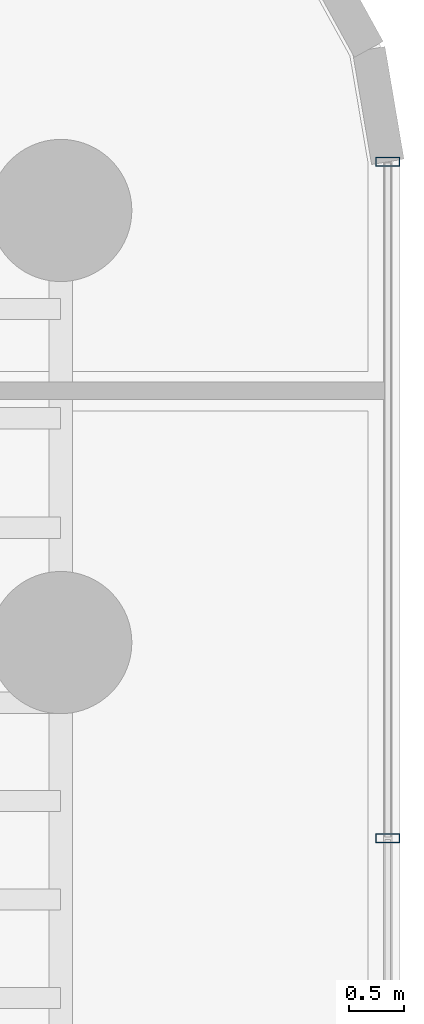
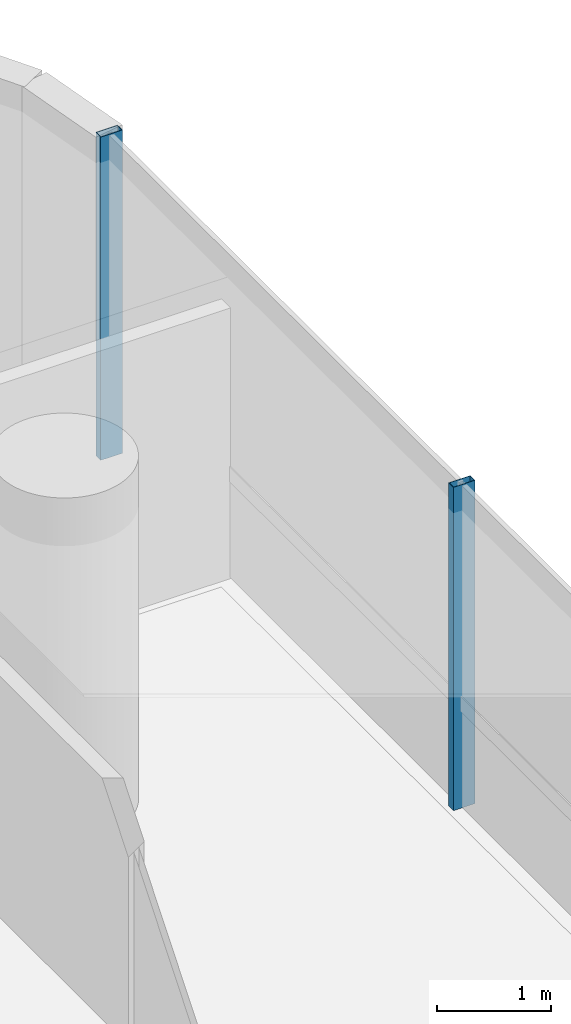
# One storey, part 28 of 40: 2 members, 1 element without a shape of its own.
"""IFC4 building model written with IfcOpenShell, lengths in metres."""

import ifcopenshell
import ifcopenshell.guid

model = None  # the IFC model being written
_history = None  # IfcOwnerHistory: only IFC2X3 demands one
_inside = {}  # id of a spatial element -> (the spatial element, [elements in it])
_under = {}  # id of a project, library or spatial element -> (it, [spatial elements below it])
_declared = {}  # id of a project -> (the project, [libraries it declares])
_typed = {}  # id of a type object -> (the type object, [elements of that type])
_made_of = {}  # id of a material, layer set ... -> (it, [elements and type objects made of it])


def new_model(schema):
    """Start an empty IFC model of exactly this schema.

    Asked for "IFC4X3", IfcOpenShell would pick the latest addendum, in which some entities
    have other attributes; the version numbers below select the first issue.
    IFC2X3 requires an IfcOwnerHistory on every rooted entity: one is made here for all.
    """
    global model, _history
    if schema == "IFC4X3":
        model = ifcopenshell.file(schema_version=(4, 3, 0, 0))
    else:
        model = ifcopenshell.file(schema=schema)
    _inside.clear()
    _under.clear()
    _declared.clear()
    _typed.clear()
    _made_of.clear()
    _history = None
    if model.schema == "IFC2X3":
        org = make("IfcOrganization", Name="unknown")
        user = make(
            "IfcPersonAndOrganization",
            ThePerson=make("IfcPerson", FamilyName="unknown"),
            TheOrganization=org,
        )
        app = make(
            "IfcApplication",
            ApplicationDeveloper=org,
            Version="unknown",
            ApplicationFullName="unknown",
            ApplicationIdentifier="unknown",
        )
        _history = make(
            "IfcOwnerHistory",
            OwningUser=user,
            OwningApplication=app,
            ChangeAction="ADDED",
            CreationDate=0,
        )
    return model


def make(cls, **values):
    """One entity of the class cls with the attributes given. An attribute that is None is left unset."""
    return model.create_entity(
        cls, **{name: value for name, value in values.items() if value is not None}
    )


def rooted(cls, **values):
    """An entity with a GlobalId (a new one), such as an element, a storey or a relation."""
    return make(cls, GlobalId=ifcopenshell.guid.new(), OwnerHistory=_history, **values)


def si_unit(unit_type, name, prefix=None):
    """IfcSIUnit, for example si_unit("LENGTHUNIT", "METRE", prefix="MILLI")."""
    return make("IfcSIUnit", UnitType=unit_type, Prefix=prefix, Name=name)


def assignment(units):
    """IfcUnitAssignment: the units of a project."""
    return None if units is None else make("IfcUnitAssignment", Units=units)


def point(xyz):
    """IfcCartesianPoint."""
    return None if xyz is None else make("IfcCartesianPoint", Coordinates=xyz)


def direction(xyz):
    """IfcDirection."""
    return None if xyz is None else make("IfcDirection", DirectionRatios=xyz)


def frame(location, z_axis=None, x_axis=None):
    """IfcAxis2Placement3D, a coordinate frame: its origin and axes. An axis left out is left unset."""
    return make(
        "IfcAxis2Placement3D",
        Location=point(location),
        Axis=direction(z_axis),
        RefDirection=direction(x_axis),
    )


def frame_2d(location, x_axis=None):
    """IfcAxis2Placement2D, a coordinate frame in the plane: its origin and x axis."""
    return make(
        "IfcAxis2Placement2D", Location=point(location), RefDirection=direction(x_axis)
    )


def origin():
    """The frame at (0, 0, 0) with its axes left unset."""
    return frame((0.0, 0.0, 0.0))


def origin_2d():
    """The frame at (0, 0) in the plane with its x axis left unset."""
    return frame_2d((0.0, 0.0))


def place(relative_to, where):
    """IfcLocalPlacement: puts the frame where relative to a parent placement (None: the world)."""
    return make(
        "IfcLocalPlacement", PlacementRelTo=relative_to, RelativePlacement=where
    )


def context(
    kind, dimensions, precision=None, world=None, true_north=None, identifier=None
):
    """IfcGeometricRepresentationContext, for example the 3D "Model" context."""
    return make(
        "IfcGeometricRepresentationContext",
        ContextIdentifier=identifier,
        ContextType=kind,
        CoordinateSpaceDimension=dimensions,
        Precision=precision,
        WorldCoordinateSystem=world,
        TrueNorth=true_north,
    )


def subcontext(parent, identifier, kind, view, scale=None):
    """IfcGeometricRepresentationSubContext, for example "Body" below "Model"."""
    return make(
        "IfcGeometricRepresentationSubContext",
        ContextIdentifier=identifier,
        ContextType=kind,
        ParentContext=parent,
        TargetScale=scale,
        TargetView=view,
    )


def project(units=None, contexts=None):
    """IfcProject with its units and contexts."""
    return rooted(
        "IfcProject",
        Name="project",
        RepresentationContexts=contexts,
        UnitsInContext=assignment(units),
    )


def spatial(cls, under=None, at=None, **own):
    """A site, building, storey or space (cls), placed at a placement, below another one or the project."""
    s = rooted(cls, ObjectPlacement=at, **own)
    if under is not None:
        _under.setdefault(under.id(), (under, []))[1].append(s)
    return s


def profile(cls, at=None, kind="AREA", **sizes):
    """A parametric profile (cls). Its sizes go by their IFC names, for example OverallWidth=200.0."""
    return make(cls, ProfileType=kind, Position=at, **sizes)


def hollow_rectangle(**sizes):
    """IfcRectangleHollowProfileDef."""
    return profile("IfcRectangleHollowProfileDef", **sizes)


def extrude(swept, where, along, depth):
    """IfcExtrudedAreaSolid: the profile swept, set in the frame where, extruded along a direction by depth."""
    return make(
        "IfcExtrudedAreaSolid",
        SweptArea=swept,
        Position=where,
        ExtrudedDirection=direction(along),
        Depth=depth,
    )


def shape(context_of_items, identifier, shape_type, items):
    """IfcShapeRepresentation: the items that make up one representation, for example the "Body"."""
    return make(
        "IfcShapeRepresentation",
        ContextOfItems=context_of_items,
        RepresentationIdentifier=identifier,
        RepresentationType=shape_type,
        Items=items,
    )


def source(mapping_origin, context_of_items, identifier, shape_type, items):
    """IfcRepresentationMap: a shape defined once, which mapped items show again and again."""
    return make(
        "IfcRepresentationMap",
        MappingOrigin=mapping_origin,
        MappedRepresentation=shape(context_of_items, identifier, shape_type, items),
    )


def transform(
    local_origin,
    x_axis=None,
    y_axis=None,
    z_axis=None,
    scale=None,
    scale2=None,
    scale3=None,
    uniform=True,
):
    """IfcCartesianTransformationOperator3D, or its non-uniform kind. x_axis, y_axis, z_axis: its Axis1, 2, 3."""
    if uniform:
        return make(
            "IfcCartesianTransformationOperator3D",
            Axis1=direction(x_axis),
            Axis2=direction(y_axis),
            LocalOrigin=point(local_origin),
            Scale=scale,
            Axis3=direction(z_axis),
        )
    return make(
        "IfcCartesianTransformationOperator3DnonUniform",
        Axis1=direction(x_axis),
        Axis2=direction(y_axis),
        LocalOrigin=point(local_origin),
        Scale=scale,
        Axis3=direction(z_axis),
        Scale2=scale2,
        Scale3=scale3,
    )


def mapped(mapping_source, mapping_target):
    """IfcMappedItem: shows the shape of a source again, moved by a transform."""
    return make(
        "IfcMappedItem", MappingSource=mapping_source, MappingTarget=mapping_target
    )


def material(Name=None, Category=None):
    """IfcMaterial."""
    return make("IfcMaterial", Name=Name, Category=Category)


def material_profile(
    of_material, cross_section, Name=None, Category=None, Priority=None
):
    """IfcMaterialProfile: a cross section and its material."""
    return make(
        "IfcMaterialProfile",
        Name=Name,
        Material=of_material,
        Profile=cross_section,
        Priority=Priority,
        Category=Category,
    )


def profile_set(profiles, Name=None, composite=None):
    """IfcMaterialProfileSet."""
    return make(
        "IfcMaterialProfileSet",
        Name=Name,
        MaterialProfiles=profiles,
        CompositeProfile=composite,
    )


def made_of(thing, what):
    """Note that an element or type object is made of a material, layer set ...; save() writes the relation."""
    if what is not None:
        _made_of.setdefault(what.id(), (what, []))[1].append(thing)
    return thing


def type_object(cls, material=None, **own):
    """A type object (cls), such as IfcWallType, which elements share."""
    return made_of(rooted(cls, **own), material)


def element(
    cls,
    number,
    at=None,
    inside=None,
    cuts=None,
    type_object=None,
    material=None,
    context=None,
    identifier="Body",
    shape_type=None,
    held_by="IfcProductDefinitionShape",
    body=None,
    shapes=None,
    **own,
):
    """One element of the class cls, such as IfcWall. Its Tag is "e" and its number.

    at: its placement. inside: the storey or other place that contains it. cuts: it is an
    opening in that element (IfcRelVoidsElement). A single representation is given by context,
    identifier, shape_type and body (its items); several are given by shapes. held_by: the class
    of the entity that holds the representations. save() writes the other relations.
    """
    e = rooted(cls, Tag="e%d" % number, ObjectPlacement=at, **own)
    if body is not None:
        shapes = [shape(context, identifier, shape_type, body)]
    if shapes is not None:
        e.Representation = make(held_by, Representations=shapes)
    if inside is not None:
        _inside.setdefault(inside.id(), (inside, []))[1].append(e)
    if cuts is not None:
        rooted(
            "IfcRelVoidsElement", RelatingBuildingElement=cuts, RelatedOpeningElement=e
        )
    if type_object is not None:
        _typed.setdefault(type_object.id(), (type_object, []))[1].append(e)
    return made_of(e, material)


def aggregate(whole, parts):
    """IfcRelAggregates: a whole, such as a stair, and the parts it consists of."""
    return rooted("IfcRelAggregates", RelatingObject=whole, RelatedObjects=parts)


def save(model, path):
    """Write the relations noted so far, then the file.

    IfcRelAggregates (storeys below a building ...), IfcRelContainedInSpatialStructure (elements
    in a storey), IfcRelDefinesByType, IfcRelAssociatesMaterial and IfcRelDeclares: one each for
    every whole, place, type object, material and project.
    """
    for whole, parts in _under.values():
        aggregate(whole, parts)
    for where, things in _inside.values():
        rooted(
            "IfcRelContainedInSpatialStructure",
            RelatedElements=things,
            RelatingStructure=where,
        )
    for kind, things in _typed.values():
        rooted("IfcRelDefinesByType", RelatedObjects=things, RelatingType=kind)
    for what, things in _made_of.values():
        rooted("IfcRelAssociatesMaterial", RelatedObjects=things, RelatingMaterial=what)
    for by, libraries in _declared.values():
        rooted("IfcRelDeclares", RelatingContext=by, RelatedDefinitions=libraries)
    model.write(path)


model = new_model("IFC4")

# Units and contexts
model_context = context("Model", 3, precision=1e-05, world=origin(), true_north=direction((0.0, 1.0)))
body_context = subcontext(model_context, "Body", "Model", "MODEL_VIEW")
ifc_project = project(units=[si_unit("LENGTHUNIT", "METRE"), si_unit("AREAUNIT", "SQUARE_METRE"), si_unit("VOLUMEUNIT", "CUBIC_METRE"), si_unit("PLANEANGLEUNIT", "RADIAN"), si_unit("MASSUNIT", "GRAM", prefix="KILO")], contexts=[model_context])

# Site, building, storey
site_placement = place(None, origin())
site = spatial("IfcSite", under=ifc_project, at=site_placement, CompositionType="ELEMENT")
building_placement = place(site_placement, origin())
building = spatial("IfcBuilding", under=site, at=building_placement, Name="Valdorenza Pilgrim Sanctuary Tower", CompositionType="ELEMENT")
storey_placement = place(building_placement, frame((0.0, 0.0, 51.89990234375)))
storey = spatial("IfcBuildingStorey", under=building, at=storey_placement, Name="L12", CompositionType="ELEMENT", Elevation=51.89990234375)

# Curtain wall, members
ifc_material_1 = material(Name="Curtain-wall IGU glazing", Category="glass")
curtain_wall_type = type_object("IfcCurtainWallType", Name="CW-SYS-03", PredefinedType="NOTDEFINED", material=ifc_material_1)
curtain_wall_placement = place(storey_placement, origin())
curtain_wall = element("IfcCurtainWall", 1, at=curtain_wall_placement, inside=storey, type_object=curtain_wall_type, Name="L12 Curtain Wall CW-L12-1-21", PredefinedType="NOTDEFINED")
ifc_material_2 = material(Name="Anodised aluminium AW-6060", Category="aluminium")
ifc_material_profile = material_profile(ifc_material_2, hollow_rectangle(XDim=0.0849609375, YDim=0.219970703125, WallThickness=0.0048828125, at=origin_2d()), Name="ALU-M 220x85x5")
ifc_profile_set = profile_set([ifc_material_profile], Name="Anodised aluminium AW-6060")
member_type = type_object("IfcMemberType", Name="CW-MUL-03", PredefinedType="MULLION", material=ifc_profile_set)
shared_shape = source(origin(), body_context, "Body", "SweptSolid", [
    extrude(hollow_rectangle(XDim=0.0849609375, YDim=0.219970703125, WallThickness=0.0048828125, at=origin_2d()), origin(), (0.0, 0.0, 1.0), 3.460205078125),
])
member_1_placement = place(storey_placement, frame((31.389892578125, 13.945068359375, 0.0), z_axis=(0.0, 0.0, 1.0), x_axis=(0.0, -1.0, 0.0)))
member_1 = element("IfcMember", 2, at=member_1_placement, type_object=member_type, Name="CW-L12-1-21 Mullion 1", PredefinedType="MULLION", context=body_context, shape_type="MappedRepresentation", body=[
    mapped(shared_shape, transform((0.0, 0.0, 0.0), x_axis=(1.0, 0.0, 0.0), y_axis=(0.0, 1.0, 0.0), z_axis=(0.0, 0.0, 1.0), scale=1.0)),
])
member_2_placement = place(storey_placement, frame((31.389892578125, 7.761474609375, 0.0), z_axis=(0.0, 0.0, 1.0), x_axis=(0.0, -1.0, 0.0)))
member_2 = element("IfcMember", 3, at=member_2_placement, type_object=member_type, Name="CW-L12-1-21 Mullion 2", PredefinedType="MULLION", context=body_context, shape_type="MappedRepresentation", body=[
    mapped(shared_shape, transform((0.0, 0.0, 0.0), x_axis=(1.0, 0.0, 0.0), y_axis=(0.0, 1.0, 0.0), z_axis=(0.0, 0.0, 1.0), scale=1.0)),
])
aggregate(curtain_wall, [member_1, member_2])

save(model, "model.ifc")
